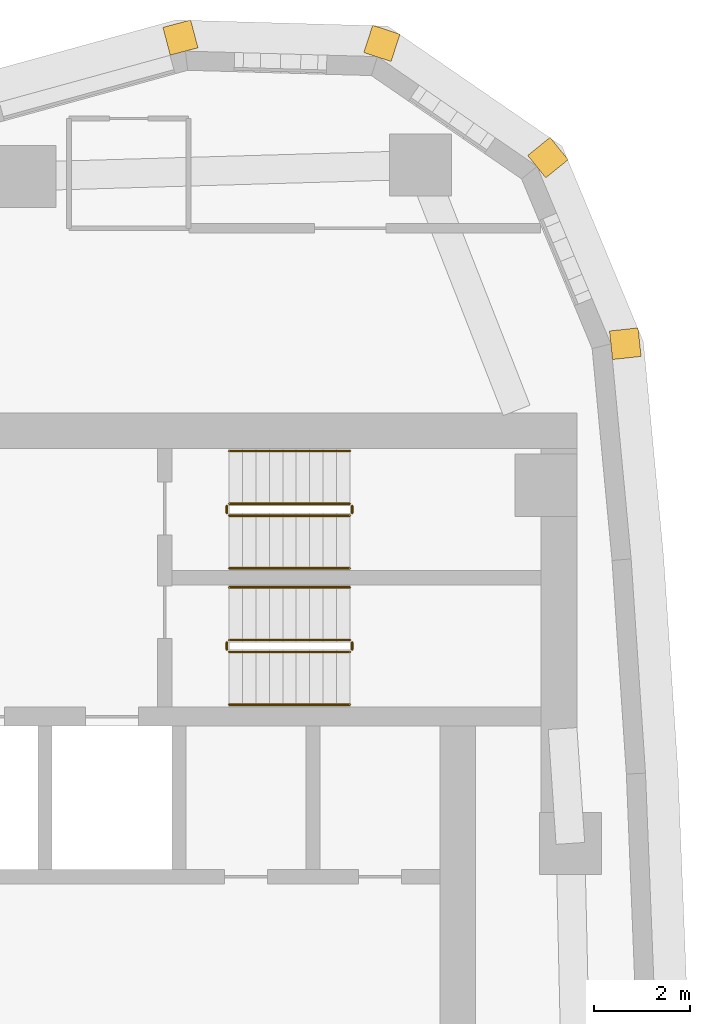
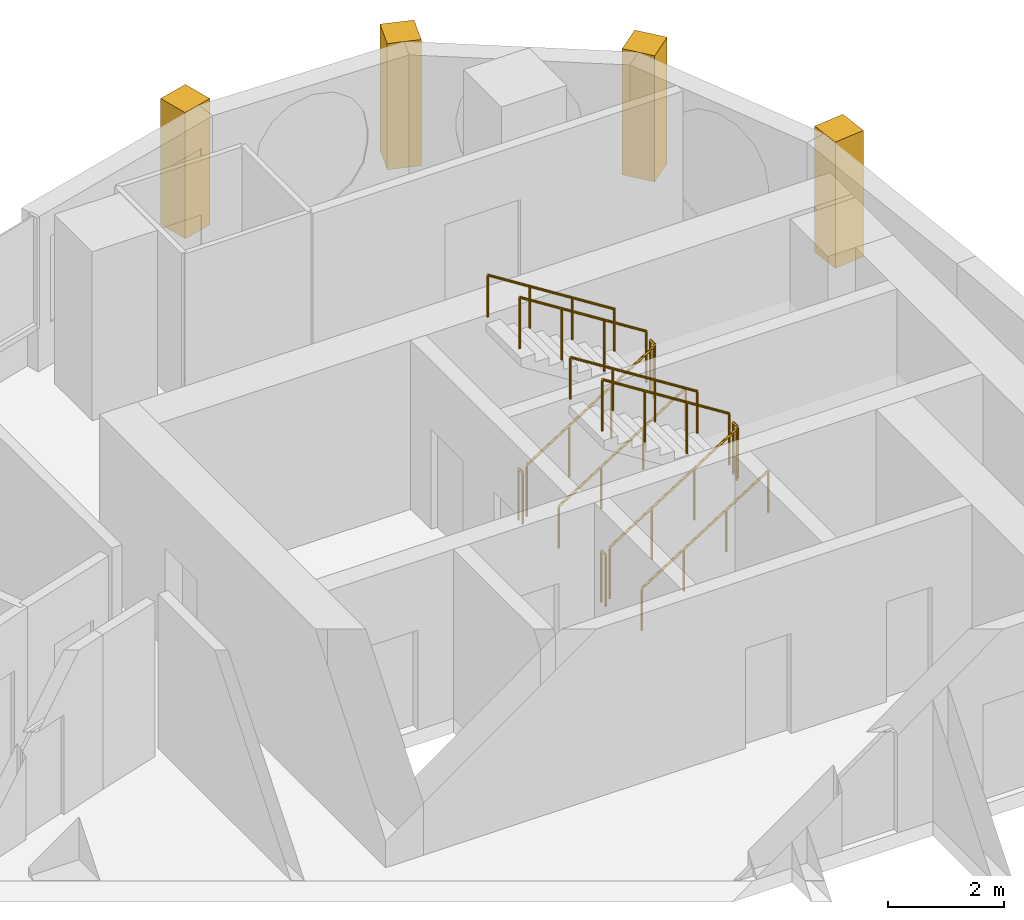
# One storey, part 17 of 17: 12 railings, 4 coverings.
"""IFC4 building model written with IfcOpenShell, lengths in metres."""

from ifc_helpers import new_model, si_unit, direction, frame, frame_2d, origin, origin_2d, place, context, subcontext, project, spatial, rectangle, circle, extrude, material, layer, layer_set, type_object, element, save


model = new_model("IFC4")

# Units and contexts
model_context = context("Model", 3, precision=1e-05, world=origin(), true_north=direction((0.0, 1.0)))
body_context = subcontext(model_context, "Body", "Model", "MODEL_VIEW")
ifc_project = project(units=[si_unit("LENGTHUNIT", "METRE"), si_unit("AREAUNIT", "SQUARE_METRE"), si_unit("VOLUMEUNIT", "CUBIC_METRE"), si_unit("PLANEANGLEUNIT", "RADIAN"), si_unit("MASSUNIT", "GRAM", prefix="KILO")], contexts=[model_context])

# Site, building, storey
site_placement = place(None, origin())
site = spatial("IfcSite", under=ifc_project, at=site_placement, CompositionType="ELEMENT")
building_placement = place(site_placement, origin())
building = spatial("IfcBuilding", under=site, at=building_placement, Name="Ostrand Prow Hotel Tower", CompositionType="ELEMENT")
storey_placement = place(building_placement, frame((0.0, 0.0, 193.25)))
storey = spatial("IfcBuildingStorey", under=building, at=storey_placement, Name="L48", CompositionType="ELEMENT", Elevation=193.25)

# Coverings
ifc_material_1 = material(Name="Limestone cladding", Category="masonry")
ifc_layer = layer(ifc_material_1, 0.60009765625)
ifc_layer_set = layer_set([ifc_layer], Name="Limestone cladding")
covering_type = type_object("IfcCoveringType", Name="Precast stone prow rib 600x600", PredefinedType="CLADDING", material=ifc_layer_set)
for number, where, z_axis, x_axis, name in (
    (1, (65.18017578125, 17.9111328125, 0.60009765625), (0.0, 0.0, 1.0), (0.994255138911, 0.107036062846, 0.0), "Stone corner rib 13a"),
    (2, (63.6279296875, 21.643798828125, 0.60009765625), (0.0, 0.0, 1.0), (0.776922530767, 0.62959620487, 0.0), "Stone corner rib 14a"),
    (3, (60.297607421875, 23.935302734375, 0.60009765625), (0.0, 0.0, 1.0), (0.310484329644, 0.950578498098, 0.0), "Stone corner rib 15a"),
    (4, (56.256591796875, 24.05126953125, 0.60009765625), (0.0, 0.0, 1.0), (-0.255154261231, 0.966900358349, 0.0), "Stone corner rib 15b"),
):
    element("IfcCovering", number, at=place(storey_placement, frame(where, z_axis=z_axis, x_axis=x_axis)), inside=storey, type_object=covering_type, Name=name, PredefinedType="CLADDING", context=body_context, shape_type="SweptSolid", body=[
        extrude(rectangle(XDim=0.599853515625, YDim=0.60009765625, at=frame_2d((0.2998046875, 0.0))), origin(), (0.0, 0.0, 1.0), 2.64990234375),
    ])

# Railings
ifc_material_2 = material(Name="Painted steel", Category="steel")
railing_type_1 = type_object("IfcRailingType", Name="Stair guard 1100", PredefinedType="GUARDRAIL", material=ifc_material_2)
railing_1_placement = place(storey_placement, frame((57.199951171875, 11.5, 0.177490234375)))
element("IfcRailing", 5, at=railing_1_placement, inside=storey, type_object=railing_type_1, Name="L48 ST1C stair guard 1", PredefinedType="GUARDRAIL", context=body_context, shape_type="SweptSolid", body=[
    extrude(circle(Radius=0.02392578125, at=origin_2d()), frame((0.0, 0.0, 1.076171875), z_axis=(0.84460694969, 0.0, 0.535386869969), x_axis=(0.0, 1.0, 0.0)), (0.0, 0.0, 1.0), 2.983642578125),
    extrude(circle(Radius=0.02099609375, at=origin_2d()), origin(), (0.0, 0.0, 1.0), 1.052001953125),
    extrude(circle(Radius=0.02099609375, at=origin_2d()), frame((0.840087890625, 0.0, 0.532470703125)), (0.0, 0.0, 1.0), 1.052001953125),
    extrude(circle(Radius=0.02099609375, at=origin_2d()), frame((1.679931640625, 0.0, 1.06494140625)), (0.0, 0.0, 1.0), 1.052001953125),
    extrude(circle(Radius=0.02099609375, at=origin_2d()), frame((2.52001953125, 0.0, 1.597412109375)), (0.0, 0.0, 1.0), 1.052001953125),
])
railing_2_placement = place(storey_placement, frame((59.77001953125, 11.550048828125, 1.77490234375)))
element("IfcRailing", 6, at=railing_2_placement, inside=storey, type_object=railing_type_1, Name="L48 ST1C stair guard 2", PredefinedType="GUARDRAIL", context=body_context, shape_type="SweptSolid", body=[
    extrude(circle(Radius=0.02392578125, at=origin_2d()), frame((0.0, 0.0, 1.076171875), z_axis=(0.0, 1.0, 0.0), x_axis=(-1.0, 0.0, 0.0)), (0.0, 0.0, 1.0), 0.14990234375),
    extrude(circle(Radius=0.02099609375, at=origin_2d()), origin(), (0.0, 0.0, 1.0), 1.052001953125),
    extrude(circle(Radius=0.02099609375, at=origin_2d()), frame((0.0, 0.14990234375, 0.0)), (0.0, 0.0, 1.0), 1.052001953125),
])
railing_3_placement = place(storey_placement, frame((59.719970703125, 11.75, 1.952392578125)))
element("IfcRailing", 7, at=railing_3_placement, inside=storey, type_object=railing_type_1, Name="L48 ST1C stair guard 3", PredefinedType="GUARDRAIL", context=body_context, shape_type="SweptSolid", body=[
    extrude(circle(Radius=0.02392578125, at=origin_2d()), frame((0.0, 0.0, 1.076171875), z_axis=(-0.84456994832, 0.0, 0.535445237532), x_axis=(0.0, -1.0, 0.0)), (0.0, 0.0, 1.0), 2.98388671875),
    extrude(circle(Radius=0.02099609375, at=origin_2d()), origin(), (0.0, 0.0, 1.0), 1.052001953125),
    extrude(circle(Radius=0.02099609375, at=origin_2d()), frame((-0.840087890625, 0.0, 0.532470703125)), (0.0, 0.0, 1.0), 1.052001953125),
    extrude(circle(Radius=0.02099609375, at=origin_2d()), frame((-1.679931640625, 0.0, 1.065185546875)), (0.0, 0.0, 1.0), 1.052001953125),
    extrude(circle(Radius=0.02099609375, at=origin_2d()), frame((-2.52001953125, 0.0, 1.59765625)), (0.0, 0.0, 1.0), 1.052001953125),
])
railing_4_placement = place(storey_placement, frame((57.14990234375, 11.550048828125, 0.0)))
element("IfcRailing", 8, at=railing_4_placement, inside=storey, type_object=railing_type_1, Name="L48 ST1C stair guard 4", PredefinedType="GUARDRAIL", context=body_context, shape_type="SweptSolid", body=[
    extrude(circle(Radius=0.02392578125, at=origin_2d()), frame((0.0, 0.0, 1.076171875), z_axis=(0.0, 1.0, 0.0), x_axis=(-1.0, 0.0, 0.0)), (0.0, 0.0, 1.0), 0.14990234375),
    extrude(circle(Radius=0.02099609375, at=origin_2d()), origin(), (0.0, 0.0, 1.0), 1.052001953125),
    extrude(circle(Radius=0.02099609375, at=origin_2d()), frame((0.0, 0.14990234375, 0.0)), (0.0, 0.0, 1.0), 1.052001953125),
])
railing_5_placement = place(storey_placement, frame((57.199951171875, 14.35009765625, 0.177490234375)))
element("IfcRailing", 9, at=railing_5_placement, inside=storey, type_object=railing_type_1, Name="L48 ST3C stair guard 1", PredefinedType="GUARDRAIL", context=body_context, shape_type="SweptSolid", body=[
    extrude(circle(Radius=0.02392578125, at=origin_2d()), frame((0.0, 0.0, 1.076171875), z_axis=(0.84460694969, 0.0, 0.535386869969), x_axis=(0.0, 1.0, 0.0)), (0.0, 0.0, 1.0), 2.983642578125),
    extrude(circle(Radius=0.02099609375, at=origin_2d()), origin(), (0.0, 0.0, 1.0), 1.052001953125),
    extrude(circle(Radius=0.02099609375, at=origin_2d()), frame((0.840087890625, 0.0, 0.532470703125)), (0.0, 0.0, 1.0), 1.052001953125),
    extrude(circle(Radius=0.02099609375, at=origin_2d()), frame((1.679931640625, 0.0, 1.06494140625)), (0.0, 0.0, 1.0), 1.052001953125),
    extrude(circle(Radius=0.02099609375, at=origin_2d()), frame((2.52001953125, 0.0, 1.597412109375)), (0.0, 0.0, 1.0), 1.052001953125),
])
railing_6_placement = place(storey_placement, frame((59.77001953125, 14.39990234375, 1.77490234375)))
element("IfcRailing", 10, at=railing_6_placement, inside=storey, type_object=railing_type_1, Name="L48 ST3C stair guard 2", PredefinedType="GUARDRAIL", context=body_context, shape_type="SweptSolid", body=[
    extrude(circle(Radius=0.02392578125, at=origin_2d()), frame((0.0, 0.0, 1.076171875), z_axis=(0.0, 1.0, 0.0), x_axis=(-1.0, 0.0, 0.0)), (0.0, 0.0, 1.0), 0.150146484375),
    extrude(circle(Radius=0.02099609375, at=origin_2d()), origin(), (0.0, 0.0, 1.0), 1.052001953125),
    extrude(circle(Radius=0.02099609375, at=origin_2d()), frame((0.0, 0.150146484375, 0.0)), (0.0, 0.0, 1.0), 1.052001953125),
])
railing_7_placement = place(storey_placement, frame((59.719970703125, 14.60009765625, 1.952392578125)))
element("IfcRailing", 11, at=railing_7_placement, inside=storey, type_object=railing_type_1, Name="L48 ST3C stair guard 3", PredefinedType="GUARDRAIL", context=body_context, shape_type="SweptSolid", body=[
    extrude(circle(Radius=0.02392578125, at=origin_2d()), frame((0.0, 0.0, 1.076171875), z_axis=(-0.84456994832, 0.0, 0.535445237532), x_axis=(0.0, -1.0, 0.0)), (0.0, 0.0, 1.0), 2.98388671875),
    extrude(circle(Radius=0.02099609375, at=origin_2d()), origin(), (0.0, 0.0, 1.0), 1.052001953125),
    extrude(circle(Radius=0.02099609375, at=origin_2d()), frame((-0.840087890625, 0.0, 0.532470703125)), (0.0, 0.0, 1.0), 1.052001953125),
    extrude(circle(Radius=0.02099609375, at=origin_2d()), frame((-1.679931640625, 0.0, 1.065185546875)), (0.0, 0.0, 1.0), 1.052001953125),
    extrude(circle(Radius=0.02099609375, at=origin_2d()), frame((-2.52001953125, 0.0, 1.59765625)), (0.0, 0.0, 1.0), 1.052001953125),
])
railing_8_placement = place(storey_placement, frame((57.14990234375, 14.39990234375, 0.0)))
element("IfcRailing", 12, at=railing_8_placement, inside=storey, type_object=railing_type_1, Name="L48 ST3C stair guard 4", PredefinedType="GUARDRAIL", context=body_context, shape_type="SweptSolid", body=[
    extrude(circle(Radius=0.02392578125, at=origin_2d()), frame((0.0, 0.0, 1.076171875), z_axis=(0.0, 1.0, 0.0), x_axis=(-1.0, 0.0, 0.0)), (0.0, 0.0, 1.0), 0.150146484375),
    extrude(circle(Radius=0.02099609375, at=origin_2d()), origin(), (0.0, 0.0, 1.0), 1.052001953125),
    extrude(circle(Radius=0.02099609375, at=origin_2d()), frame((0.0, 0.150146484375, 0.0)), (0.0, 0.0, 1.0), 1.052001953125),
])
ifc_material_3 = material(Name="Stainless steel", Category="steel")
railing_type_2 = type_object("IfcRailingType", Name="Stair handrail 900", PredefinedType="HANDRAIL", material=ifc_material_3)
railing_9_placement = place(storey_placement, frame((57.199951171875, 10.39990234375, 0.177490234375)))
element("IfcRailing", 13, at=railing_9_placement, inside=storey, type_object=railing_type_2, Name="L48 ST1C stair handrail 1", PredefinedType="HANDRAIL", context=body_context, shape_type="SweptSolid", body=[
    extrude(circle(Radius=0.02392578125, at=origin_2d()), frame((0.0, 0.0, 0.8759765625), z_axis=(0.84460694969, 0.0, 0.535386869969), x_axis=(0.0, 1.0, 0.0)), (0.0, 0.0, 1.0), 2.983642578125),
    extrude(circle(Radius=0.02099609375, at=origin_2d()), origin(), (0.0, 0.0, 1.0), 0.851806640625),
    extrude(circle(Radius=0.02099609375, at=origin_2d()), frame((0.840087890625, 0.0, 0.532470703125)), (0.0, 0.0, 1.0), 0.851806640625),
    extrude(circle(Radius=0.02099609375, at=origin_2d()), frame((1.679931640625, 0.0, 1.06494140625)), (0.0, 0.0, 1.0), 0.851806640625),
    extrude(circle(Radius=0.02099609375, at=origin_2d()), frame((2.52001953125, 0.0, 1.597412109375)), (0.0, 0.0, 1.0), 0.851806640625),
])
railing_10_placement = place(storey_placement, frame((59.719970703125, 12.85009765625, 1.952392578125)))
element("IfcRailing", 14, at=railing_10_placement, inside=storey, type_object=railing_type_2, Name="L48 ST1C stair handrail 2", PredefinedType="HANDRAIL", context=body_context, shape_type="SweptSolid", body=[
    extrude(circle(Radius=0.02392578125, at=origin_2d()), frame((0.0, 0.0, 0.8759765625), z_axis=(-0.84456994832, 0.0, 0.535445237532), x_axis=(0.0, -1.0, 0.0)), (0.0, 0.0, 1.0), 2.98388671875),
    extrude(circle(Radius=0.02099609375, at=origin_2d()), origin(), (0.0, 0.0, 1.0), 0.851806640625),
    extrude(circle(Radius=0.02099609375, at=origin_2d()), frame((-0.840087890625, 0.0, 0.532470703125)), (0.0, 0.0, 1.0), 0.851806640625),
    extrude(circle(Radius=0.02099609375, at=origin_2d()), frame((-1.679931640625, 0.0, 1.065185546875)), (0.0, 0.0, 1.0), 0.851806640625),
    extrude(circle(Radius=0.02099609375, at=origin_2d()), frame((-2.52001953125, 0.0, 1.59765625)), (0.0, 0.0, 1.0), 0.851806640625),
])
railing_11_placement = place(storey_placement, frame((57.199951171875, 13.25, 0.177490234375)))
element("IfcRailing", 15, at=railing_11_placement, inside=storey, type_object=railing_type_2, Name="L48 ST3C stair handrail 1", PredefinedType="HANDRAIL", context=body_context, shape_type="SweptSolid", body=[
    extrude(circle(Radius=0.02392578125, at=origin_2d()), frame((0.0, 0.0, 0.8759765625), z_axis=(0.84460694969, 0.0, 0.535386869969), x_axis=(0.0, 1.0, 0.0)), (0.0, 0.0, 1.0), 2.983642578125),
    extrude(circle(Radius=0.02099609375, at=origin_2d()), origin(), (0.0, 0.0, 1.0), 0.851806640625),
    extrude(circle(Radius=0.02099609375, at=origin_2d()), frame((0.840087890625, 0.0, 0.532470703125)), (0.0, 0.0, 1.0), 0.851806640625),
    extrude(circle(Radius=0.02099609375, at=origin_2d()), frame((1.679931640625, 0.0, 1.06494140625)), (0.0, 0.0, 1.0), 0.851806640625),
    extrude(circle(Radius=0.02099609375, at=origin_2d()), frame((2.52001953125, 0.0, 1.597412109375)), (0.0, 0.0, 1.0), 0.851806640625),
])
railing_12_placement = place(storey_placement, frame((59.719970703125, 15.699951171875, 1.952392578125)))
element("IfcRailing", 16, at=railing_12_placement, inside=storey, type_object=railing_type_2, Name="L48 ST3C stair handrail 2", PredefinedType="HANDRAIL", context=body_context, shape_type="SweptSolid", body=[
    extrude(circle(Radius=0.02392578125, at=origin_2d()), frame((0.0, 0.0, 0.8759765625), z_axis=(-0.84456994832, 0.0, 0.535445237532), x_axis=(0.0, -1.0, 0.0)), (0.0, 0.0, 1.0), 2.98388671875),
    extrude(circle(Radius=0.02099609375, at=origin_2d()), origin(), (0.0, 0.0, 1.0), 0.851806640625),
    extrude(circle(Radius=0.02099609375, at=origin_2d()), frame((-0.840087890625, 0.0, 0.532470703125)), (0.0, 0.0, 1.0), 0.851806640625),
    extrude(circle(Radius=0.02099609375, at=origin_2d()), frame((-1.679931640625, 0.0, 1.065185546875)), (0.0, 0.0, 1.0), 0.851806640625),
    extrude(circle(Radius=0.02099609375, at=origin_2d()), frame((-2.52001953125, 0.0, 1.59765625)), (0.0, 0.0, 1.0), 0.851806640625),
])

save(model, "model.ifc")
